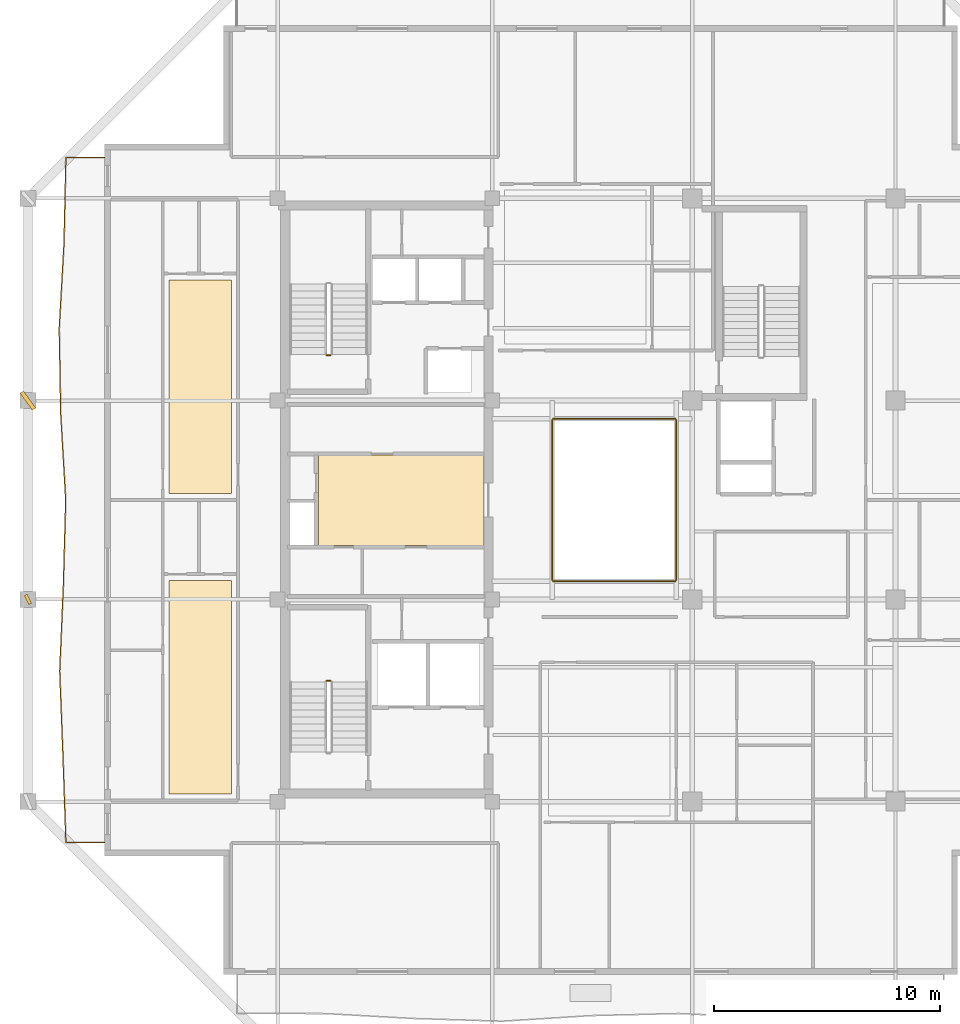
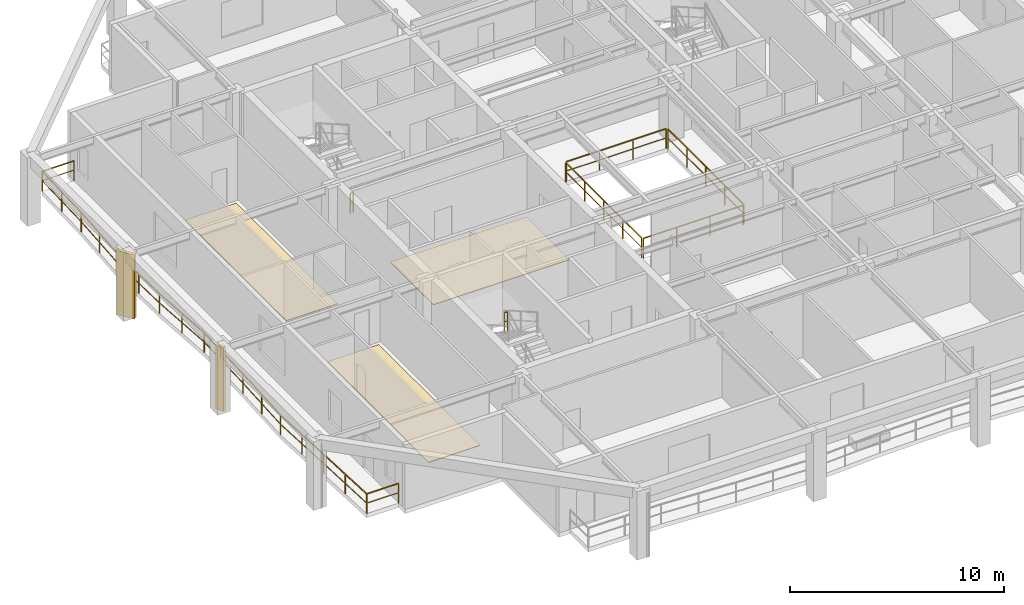
# One storey, part 8 of 11: 7 railings, 3 coverings, 2 shading devices.
"""IFC4 building model written with IfcOpenShell, lengths in metres."""

import ifcopenshell
import ifcopenshell.guid

model = None  # the IFC model being written
_history = None  # IfcOwnerHistory: only IFC2X3 demands one
_inside = {}  # id of a spatial element -> (the spatial element, [elements in it])
_under = {}  # id of a project, library or spatial element -> (it, [spatial elements below it])
_declared = {}  # id of a project -> (the project, [libraries it declares])
_typed = {}  # id of a type object -> (the type object, [elements of that type])
_made_of = {}  # id of a material, layer set ... -> (it, [elements and type objects made of it])


def new_model(schema):
    """Start an empty IFC model of exactly this schema.

    Asked for "IFC4X3", IfcOpenShell would pick the latest addendum, in which some entities
    have other attributes; the version numbers below select the first issue.
    IFC2X3 requires an IfcOwnerHistory on every rooted entity: one is made here for all.
    """
    global model, _history
    if schema == "IFC4X3":
        model = ifcopenshell.file(schema_version=(4, 3, 0, 0))
    else:
        model = ifcopenshell.file(schema=schema)
    _inside.clear()
    _under.clear()
    _declared.clear()
    _typed.clear()
    _made_of.clear()
    _history = None
    if model.schema == "IFC2X3":
        org = make("IfcOrganization", Name="unknown")
        user = make(
            "IfcPersonAndOrganization",
            ThePerson=make("IfcPerson", FamilyName="unknown"),
            TheOrganization=org,
        )
        app = make(
            "IfcApplication",
            ApplicationDeveloper=org,
            Version="unknown",
            ApplicationFullName="unknown",
            ApplicationIdentifier="unknown",
        )
        _history = make(
            "IfcOwnerHistory",
            OwningUser=user,
            OwningApplication=app,
            ChangeAction="ADDED",
            CreationDate=0,
        )
    return model


def make(cls, **values):
    """One entity of the class cls with the attributes given. An attribute that is None is left unset."""
    return model.create_entity(
        cls, **{name: value for name, value in values.items() if value is not None}
    )


def rooted(cls, **values):
    """An entity with a GlobalId (a new one), such as an element, a storey or a relation."""
    return make(cls, GlobalId=ifcopenshell.guid.new(), OwnerHistory=_history, **values)


def si_unit(unit_type, name, prefix=None):
    """IfcSIUnit, for example si_unit("LENGTHUNIT", "METRE", prefix="MILLI")."""
    return make("IfcSIUnit", UnitType=unit_type, Prefix=prefix, Name=name)


def assignment(units):
    """IfcUnitAssignment: the units of a project."""
    return None if units is None else make("IfcUnitAssignment", Units=units)


def point(xyz):
    """IfcCartesianPoint."""
    return None if xyz is None else make("IfcCartesianPoint", Coordinates=xyz)


def direction(xyz):
    """IfcDirection."""
    return None if xyz is None else make("IfcDirection", DirectionRatios=xyz)


def frame(location, z_axis=None, x_axis=None):
    """IfcAxis2Placement3D, a coordinate frame: its origin and axes. An axis left out is left unset."""
    return make(
        "IfcAxis2Placement3D",
        Location=point(location),
        Axis=direction(z_axis),
        RefDirection=direction(x_axis),
    )


def frame_2d(location, x_axis=None):
    """IfcAxis2Placement2D, a coordinate frame in the plane: its origin and x axis."""
    return make(
        "IfcAxis2Placement2D", Location=point(location), RefDirection=direction(x_axis)
    )


def origin():
    """The frame at (0, 0, 0) with its axes left unset."""
    return frame((0.0, 0.0, 0.0))


def origin_2d():
    """The frame at (0, 0) in the plane with its x axis left unset."""
    return frame_2d((0.0, 0.0))


def place(relative_to, where):
    """IfcLocalPlacement: puts the frame where relative to a parent placement (None: the world)."""
    return make(
        "IfcLocalPlacement", PlacementRelTo=relative_to, RelativePlacement=where
    )


def context(
    kind, dimensions, precision=None, world=None, true_north=None, identifier=None
):
    """IfcGeometricRepresentationContext, for example the 3D "Model" context."""
    return make(
        "IfcGeometricRepresentationContext",
        ContextIdentifier=identifier,
        ContextType=kind,
        CoordinateSpaceDimension=dimensions,
        Precision=precision,
        WorldCoordinateSystem=world,
        TrueNorth=true_north,
    )


def subcontext(parent, identifier, kind, view, scale=None):
    """IfcGeometricRepresentationSubContext, for example "Body" below "Model"."""
    return make(
        "IfcGeometricRepresentationSubContext",
        ContextIdentifier=identifier,
        ContextType=kind,
        ParentContext=parent,
        TargetScale=scale,
        TargetView=view,
    )


def project(units=None, contexts=None):
    """IfcProject with its units and contexts."""
    return rooted(
        "IfcProject",
        Name="project",
        RepresentationContexts=contexts,
        UnitsInContext=assignment(units),
    )


def spatial(cls, under=None, at=None, **own):
    """A site, building, storey or space (cls), placed at a placement, below another one or the project."""
    s = rooted(cls, ObjectPlacement=at, **own)
    if under is not None:
        _under.setdefault(under.id(), (under, []))[1].append(s)
    return s


def polyline(points):
    """IfcPolyline through the points."""
    return make("IfcPolyline", Points=[point(p) for p in points])


def profile(cls, at=None, kind="AREA", **sizes):
    """A parametric profile (cls). Its sizes go by their IFC names, for example OverallWidth=200.0."""
    return make(cls, ProfileType=kind, Position=at, **sizes)


def rectangle(**sizes):
    """IfcRectangleProfileDef."""
    return profile("IfcRectangleProfileDef", **sizes)


def outline(outer, holes=None, kind="AREA"):
    """IfcArbitraryClosedProfileDef: a profile drawn as a closed curve; with holes, ...WithVoids."""
    if holes is None:
        return make("IfcArbitraryClosedProfileDef", ProfileType=kind, OuterCurve=outer)
    return make(
        "IfcArbitraryProfileDefWithVoids",
        ProfileType=kind,
        OuterCurve=outer,
        InnerCurves=holes,
    )


def extrude(swept, where, along, depth):
    """IfcExtrudedAreaSolid: the profile swept, set in the frame where, extruded along a direction by depth."""
    return make(
        "IfcExtrudedAreaSolid",
        SweptArea=swept,
        Position=where,
        ExtrudedDirection=direction(along),
        Depth=depth,
    )


def shape(context_of_items, identifier, shape_type, items):
    """IfcShapeRepresentation: the items that make up one representation, for example the "Body"."""
    return make(
        "IfcShapeRepresentation",
        ContextOfItems=context_of_items,
        RepresentationIdentifier=identifier,
        RepresentationType=shape_type,
        Items=items,
    )


def material(Name=None, Category=None):
    """IfcMaterial."""
    return make("IfcMaterial", Name=Name, Category=Category)


def layer(
    of_material, thickness, ventilated=None, Name=None, Category=None, Priority=None
):
    """IfcMaterialLayer: one layer of a wall or slab, of a material (None: an air gap)."""
    return make(
        "IfcMaterialLayer",
        Material=of_material,
        LayerThickness=thickness,
        IsVentilated=ventilated,
        Name=Name,
        Category=Category,
        Priority=Priority,
    )


def layer_set(layers, Name=None):
    """IfcMaterialLayerSet."""
    return make("IfcMaterialLayerSet", MaterialLayers=layers, LayerSetName=Name)


def made_of(thing, what):
    """Note that an element or type object is made of a material, layer set ...; save() writes the relation."""
    if what is not None:
        _made_of.setdefault(what.id(), (what, []))[1].append(thing)
    return thing


def type_object(cls, material=None, **own):
    """A type object (cls), such as IfcWallType, which elements share."""
    return made_of(rooted(cls, **own), material)


def element(
    cls,
    number,
    at=None,
    inside=None,
    cuts=None,
    type_object=None,
    material=None,
    context=None,
    identifier="Body",
    shape_type=None,
    held_by="IfcProductDefinitionShape",
    body=None,
    shapes=None,
    **own,
):
    """One element of the class cls, such as IfcWall. Its Tag is "e" and its number.

    at: its placement. inside: the storey or other place that contains it. cuts: it is an
    opening in that element (IfcRelVoidsElement). A single representation is given by context,
    identifier, shape_type and body (its items); several are given by shapes. held_by: the class
    of the entity that holds the representations. save() writes the other relations.
    """
    e = rooted(cls, Tag="e%d" % number, ObjectPlacement=at, **own)
    if body is not None:
        shapes = [shape(context, identifier, shape_type, body)]
    if shapes is not None:
        e.Representation = make(held_by, Representations=shapes)
    if inside is not None:
        _inside.setdefault(inside.id(), (inside, []))[1].append(e)
    if cuts is not None:
        rooted(
            "IfcRelVoidsElement", RelatingBuildingElement=cuts, RelatedOpeningElement=e
        )
    if type_object is not None:
        _typed.setdefault(type_object.id(), (type_object, []))[1].append(e)
    return made_of(e, material)


def aggregate(whole, parts):
    """IfcRelAggregates: a whole, such as a stair, and the parts it consists of."""
    return rooted("IfcRelAggregates", RelatingObject=whole, RelatedObjects=parts)


def save(model, path):
    """Write the relations noted so far, then the file.

    IfcRelAggregates (storeys below a building ...), IfcRelContainedInSpatialStructure (elements
    in a storey), IfcRelDefinesByType, IfcRelAssociatesMaterial and IfcRelDeclares: one each for
    every whole, place, type object, material and project.
    """
    for whole, parts in _under.values():
        aggregate(whole, parts)
    for where, things in _inside.values():
        rooted(
            "IfcRelContainedInSpatialStructure",
            RelatedElements=things,
            RelatingStructure=where,
        )
    for kind, things in _typed.values():
        rooted("IfcRelDefinesByType", RelatedObjects=things, RelatingType=kind)
    for what, things in _made_of.values():
        rooted("IfcRelAssociatesMaterial", RelatedObjects=things, RelatingMaterial=what)
    for by, libraries in _declared.values():
        rooted("IfcRelDeclares", RelatingContext=by, RelatedDefinitions=libraries)
    model.write(path)


model = new_model("IFC4")

# Units and contexts
model_context = context("Model", 3, precision=1e-05, world=origin(), true_north=direction((0.0, 1.0)))
body_context = subcontext(model_context, "Body", "Model", "MODEL_VIEW")
ifc_project = project(units=[si_unit("LENGTHUNIT", "METRE"), si_unit("AREAUNIT", "SQUARE_METRE"), si_unit("VOLUMEUNIT", "CUBIC_METRE"), si_unit("PLANEANGLEUNIT", "RADIAN"), si_unit("MASSUNIT", "GRAM", prefix="KILO")], contexts=[model_context])

# Site, building, storey
site_placement = place(None, origin())
site = spatial("IfcSite", under=ifc_project, at=site_placement, CompositionType="ELEMENT")
building_placement = place(site_placement, origin())
building = spatial("IfcBuilding", under=site, at=building_placement, Name="Kundavana Baori Tower", CompositionType="ELEMENT")
storey_placement = place(building_placement, frame((0.0, 0.0, 218.0)))
storey = spatial("IfcBuildingStorey", under=building, at=storey_placement, Name="L53", CompositionType="ELEMENT", Elevation=218.0)

# Coverings
ifc_material_1 = material(Name="Honed Kota Stone and Terrazzo Flooring", Category="masonry")
ifc_layer = layer(ifc_material_1, 0.0400390625, Name="COV-FLR-TERR-40")
ifc_layer_set = layer_set([ifc_layer], Name="Honed Kota Stone and Terrazzo Flooring")
covering_type = type_object("IfcCoveringType", Name="COV-FLR-TERR-40", PredefinedType="FLOORING", material=ifc_layer_set)
covering_1_placement = place(storey_placement, origin())
element("IfcCovering", 1, at=covering_1_placement, inside=storey, type_object=covering_type, Name="L53 Room Finished Stone Flooring 1", PredefinedType="FLOORING", context=body_context, shape_type="SweptSolid", body=[
    extrude(outline(polyline([(10.64990234375, 15.580078125), (13.419921875, 15.580078125), (13.419921875, 25.0400390625), (10.64990234375, 25.0400390625), (10.64990234375, 15.580078125)])), origin(), (0.0, 0.0, 1.0), 0.0400390625),
])
covering_2_placement = place(storey_placement, origin())
element("IfcCovering", 2, at=covering_2_placement, inside=storey, type_object=covering_type, Name="L53 Room Finished Stone Flooring 2", PredefinedType="FLOORING", context=body_context, shape_type="SweptSolid", body=[
    extrude(outline(polyline([(10.64990234375, 28.8798828125), (13.419921875, 28.8798828125), (13.419921875, 38.340087890625), (10.64990234375, 38.340087890625), (10.64990234375, 28.8798828125)])), origin(), (0.0, 0.0, 1.0), 0.0400390625),
])
covering_3_placement = place(storey_placement, origin())
element("IfcCovering", 3, at=covering_3_placement, inside=storey, type_object=covering_type, Name="L53 Core Lift Lobby Kota Stone Flooring", PredefinedType="FLOORING", context=body_context, shape_type="SweptSolid", body=[
    extrude(outline(polyline([(17.25, 26.580078125), (24.580078125, 26.580078125), (24.580078125, 30.60009765625), (17.25, 30.60009765625), (17.25, 26.580078125)])), origin(), (0.0, 0.0, 1.0), 0.0400390625),
])

# Railings
ifc_material_2 = material(Name="Architectural Patinated Bronze Metalwork")
railing_type_1 = type_object("IfcRailingType", Name="RL-BAL-1150", PredefinedType="BALUSTRADE", material=ifc_material_2)
railing_1_placement = place(storey_placement, frame((7.800048828125, 13.449951171875, 0.0)))
element("IfcRailing", 4, at=railing_1_placement, inside=storey, type_object=railing_type_1, Name="L53 Loggia Balcony Balustrade W", PredefinedType="BALUSTRADE", context=body_context, shape_type="SweptSolid", body=[
    extrude(rectangle(XDim=0.048095703125, YDim=0.048095703125, at=origin_2d()), frame((0.0, 0.0, 1.1259765625), z_axis=(-1.0, 0.0, 0.0), x_axis=(0.0, -1.0, 0.0)), (0.0, 0.0, 1.0), 1.719970703125),
    extrude(rectangle(XDim=0.03125, YDim=0.03125, at=origin_2d()), frame((0.0, 0.0, 0.597900390625), z_axis=(-1.0, 0.0, 0.0), x_axis=(0.0, -1.0, 0.0)), (0.0, 0.0, 1.0), 1.719970703125),
    extrude(rectangle(XDim=0.048095703125, YDim=0.048095703125, at=origin_2d()), frame((-1.719970703125, 0.0, 1.1259765625), z_axis=(-0.034331386874, 0.999410504185, 0.0), x_axis=(-0.999410504185, -0.034331386874, 0.0)), (0.0, 0.0, 1.0), 3.790283203125),
    extrude(rectangle(XDim=0.03125, YDim=0.03125, at=origin_2d()), frame((-1.719970703125, 0.0, 0.597900390625), z_axis=(-0.034331386874, 0.999410504185, 0.0), x_axis=(-0.999410504185, -0.034331386874, 0.0)), (0.0, 0.0, 1.0), 3.790283203125),
    extrude(rectangle(XDim=0.048095703125, YDim=0.048095703125, at=origin_2d()), frame((-1.85009765625, 3.7880859375, 1.1259765625), z_axis=(-0.03826735328, 0.999267536585, 0.0), x_axis=(-0.999267536585, -0.03826735328, 0.0)), (0.0, 0.0, 1.0), 3.78955078125),
    extrude(rectangle(XDim=0.03125, YDim=0.03125, at=origin_2d()), frame((-1.85009765625, 3.7880859375, 0.597900390625), z_axis=(-0.03826735328, 0.999267536585, 0.0), x_axis=(-0.999267536585, -0.03826735328, 0.0)), (0.0, 0.0, 1.0), 3.78955078125),
    extrude(rectangle(XDim=0.048095703125, YDim=0.048095703125, at=origin_2d()), frame((-1.9951171875, 7.574951171875, 1.1259765625), z_axis=(0.042509245005, 0.999096073503, 0.0), x_axis=(-0.999096073503, 0.042509245005, 0.0)), (0.0, 0.0, 1.0), 3.79052734375),
    extrude(rectangle(XDim=0.03125, YDim=0.03125, at=origin_2d()), frame((-1.9951171875, 7.574951171875, 0.597900390625), z_axis=(0.042509245005, 0.999096073503, 0.0), x_axis=(-0.999096073503, 0.042509245005, 0.0)), (0.0, 0.0, 1.0), 3.79052734375),
    extrude(rectangle(XDim=0.048095703125, YDim=0.048095703125, at=origin_2d()), frame((-1.833984375, 11.362060546875, 1.1259765625), z_axis=(0.027445187549, 0.999623309892, 0.0), x_axis=(-0.999623309892, 0.027445187549, 0.0)), (0.0, 0.0, 1.0), 3.78955078125),
    extrude(rectangle(XDim=0.03125, YDim=0.03125, at=origin_2d()), frame((-1.833984375, 11.362060546875, 0.597900390625), z_axis=(0.027445187549, 0.999623309892, 0.0), x_axis=(-0.999623309892, 0.027445187549, 0.0)), (0.0, 0.0, 1.0), 3.78955078125),
    extrude(rectangle(XDim=0.048095703125, YDim=0.048095703125, at=origin_2d()), frame((-1.72998046875, 15.150146484375, 1.1259765625), z_axis=(-0.057975155756, 0.99831802614, 0.0), x_axis=(-0.99831802614, -0.057975155756, 0.0)), (0.0, 0.0, 1.0), 3.794189453125),
    extrude(rectangle(XDim=0.03125, YDim=0.03125, at=origin_2d()), frame((-1.72998046875, 15.150146484375, 0.597900390625), z_axis=(-0.057975155756, 0.99831802614, 0.0), x_axis=(-0.99831802614, -0.057975155756, 0.0)), (0.0, 0.0, 1.0), 3.794189453125),
    extrude(rectangle(XDim=0.048095703125, YDim=0.048095703125, at=origin_2d()), frame((-1.949951171875, 18.93798828125, 1.1259765625), z_axis=(-0.01772542518, 0.99984289231, 0.0), x_axis=(-0.99984289231, -0.01772542518, 0.0)), (0.0, 0.0, 1.0), 3.78759765625),
    extrude(rectangle(XDim=0.03125, YDim=0.03125, at=origin_2d()), frame((-1.949951171875, 18.93798828125, 0.597900390625), z_axis=(-0.01772542518, 0.99984289231, 0.0), x_axis=(-0.99984289231, -0.01772542518, 0.0)), (0.0, 0.0, 1.0), 3.78759765625),
    extrude(rectangle(XDim=0.048095703125, YDim=0.048095703125, at=origin_2d()), frame((-2.01708984375, 22.72509765625, 1.1259765625), z_axis=(0.055937038559, 0.998434298147, 0.0), x_axis=(-0.998434298147, 0.055937038559, 0.0)), (0.0, 0.0, 1.0), 3.792724609375),
    extrude(rectangle(XDim=0.03125, YDim=0.03125, at=origin_2d()), frame((-2.01708984375, 22.72509765625, 0.597900390625), z_axis=(0.055937038559, 0.998434298147, 0.0), x_axis=(-0.998434298147, 0.055937038559, 0.0)), (0.0, 0.0, 1.0), 3.792724609375),
    extrude(rectangle(XDim=0.048095703125, YDim=0.048095703125, at=origin_2d()), frame((-1.804931640625, 26.511962890625, 1.1259765625), z_axis=(0.022422821911, 0.999748576922, 0.0), x_axis=(-0.999748576922, 0.022422821911, 0.0)), (0.0, 0.0, 1.0), 3.7890625),
    extrude(rectangle(XDim=0.03125, YDim=0.03125, at=origin_2d()), frame((-1.804931640625, 26.511962890625, 0.597900390625), z_axis=(0.022422821911, 0.999748576922, 0.0), x_axis=(-0.999748576922, 0.022422821911, 0.0)), (0.0, 0.0, 1.0), 3.7890625),
    extrude(rectangle(XDim=0.048095703125, YDim=0.048095703125, at=origin_2d()), frame((-1.719970703125, 30.300048828125, 1.1259765625), z_axis=(1.0, 0.0, 0.0), x_axis=(0.0, 1.0, 0.0)), (0.0, 0.0, 1.0), 1.719970703125),
    extrude(rectangle(XDim=0.03125, YDim=0.03125, at=origin_2d()), frame((-1.719970703125, 30.300048828125, 0.597900390625), z_axis=(1.0, 0.0, 0.0), x_axis=(0.0, 1.0, 0.0)), (0.0, 0.0, 1.0), 1.719970703125),
    extrude(rectangle(XDim=0.0419921875, YDim=0.0419921875, at=origin_2d()), origin(), (0.0, 0.0, 1.0), 1.101806640625),
    extrude(rectangle(XDim=0.0419921875, YDim=0.0419921875, at=origin_2d()), frame((-1.719970703125, 0.0, 0.0)), (0.0, 0.0, 1.0), 1.101806640625),
    extrude(rectangle(XDim=0.0419921875, YDim=0.0419921875, at=origin_2d()), frame((-1.78515625, 1.89404296875, 0.0)), (0.0, 0.0, 1.0), 1.101806640625),
    extrude(rectangle(XDim=0.0419921875, YDim=0.0419921875, at=origin_2d()), frame((-1.85009765625, 3.7880859375, 0.0)), (0.0, 0.0, 1.0), 1.101806640625),
    extrude(rectangle(XDim=0.0419921875, YDim=0.0419921875, at=origin_2d()), frame((-1.922607421875, 5.681640625, 0.0)), (0.0, 0.0, 1.0), 1.101806640625),
    extrude(rectangle(XDim=0.0419921875, YDim=0.0419921875, at=origin_2d()), frame((-1.9951171875, 7.574951171875, 0.0)), (0.0, 0.0, 1.0), 1.101806640625),
    extrude(rectangle(XDim=0.0419921875, YDim=0.0419921875, at=origin_2d()), frame((-1.91455078125, 9.468505859375, 0.0)), (0.0, 0.0, 1.0), 1.101806640625),
    extrude(rectangle(XDim=0.0419921875, YDim=0.0419921875, at=origin_2d()), frame((-1.833984375, 11.362060546875, 0.0)), (0.0, 0.0, 1.0), 1.101806640625),
    extrude(rectangle(XDim=0.0419921875, YDim=0.0419921875, at=origin_2d()), frame((-1.781982421875, 13.256103515625, 0.0)), (0.0, 0.0, 1.0), 1.101806640625),
    extrude(rectangle(XDim=0.0419921875, YDim=0.0419921875, at=origin_2d()), frame((-1.72998046875, 15.150146484375, 0.0)), (0.0, 0.0, 1.0), 1.101806640625),
    extrude(rectangle(XDim=0.0419921875, YDim=0.0419921875, at=origin_2d()), frame((-1.83984375, 17.0439453125, 0.0)), (0.0, 0.0, 1.0), 1.101806640625),
    extrude(rectangle(XDim=0.0419921875, YDim=0.0419921875, at=origin_2d()), frame((-1.949951171875, 18.93798828125, 0.0)), (0.0, 0.0, 1.0), 1.101806640625),
    extrude(rectangle(XDim=0.0419921875, YDim=0.0419921875, at=origin_2d()), frame((-1.9833984375, 20.83154296875, 0.0)), (0.0, 0.0, 1.0), 1.101806640625),
    extrude(rectangle(XDim=0.0419921875, YDim=0.0419921875, at=origin_2d()), frame((-2.01708984375, 22.72509765625, 0.0)), (0.0, 0.0, 1.0), 1.101806640625),
    extrude(rectangle(XDim=0.0419921875, YDim=0.0419921875, at=origin_2d()), frame((-1.9111328125, 24.61865234375, 0.0)), (0.0, 0.0, 1.0), 1.101806640625),
    extrude(rectangle(XDim=0.0419921875, YDim=0.0419921875, at=origin_2d()), frame((-1.804931640625, 26.511962890625, 0.0)), (0.0, 0.0, 1.0), 1.101806640625),
    extrude(rectangle(XDim=0.0419921875, YDim=0.0419921875, at=origin_2d()), frame((-1.762451171875, 28.406005859375, 0.0)), (0.0, 0.0, 1.0), 1.101806640625),
    extrude(rectangle(XDim=0.0419921875, YDim=0.0419921875, at=origin_2d()), frame((-1.719970703125, 30.300048828125, 0.0)), (0.0, 0.0, 1.0), 1.101806640625),
    extrude(rectangle(XDim=0.0419921875, YDim=0.0419921875, at=origin_2d()), frame((0.0, 30.300048828125, 0.0)), (0.0, 0.0, 1.0), 1.101806640625),
])
ifc_material_3 = material(Name="Architectural Patinated Bronze Metalwork")
railing_type_2 = type_object("IfcRailingType", Name="RL-GRD-1150", PredefinedType="GUARDRAIL", material=ifc_material_3)
for number, where, name in (
    (5, (17.7900390625, 20.60009765625, 1.949951171875), "L53 ST1 stair guard 2"),
    (6, (17.7900390625, 35.0, 0.0), "L53 ST2 stair guard 4"),
):
    element("IfcRailing", number, at=place(storey_placement, frame(where)), inside=storey, type_object=railing_type_2, Name=name, PredefinedType="GUARDRAIL", context=body_context, shape_type="SweptSolid", body=[
        extrude(rectangle(XDim=0.048095703125, YDim=0.048095703125, at=origin_2d()), frame((0.0, 0.0, 1.1259765625), z_axis=(-1.0, 0.0, 0.0), x_axis=(0.0, -1.0, 0.0)), (0.0, 0.0, 1.0), 0.16015625),
        extrude(rectangle(XDim=0.03125, YDim=0.03125, at=origin_2d()), frame((0.0, 0.0, 0.597900390625), z_axis=(-1.0, 0.0, 0.0), x_axis=(0.0, -1.0, 0.0)), (0.0, 0.0, 1.0), 0.16015625),
        extrude(rectangle(XDim=0.0419921875, YDim=0.0419921875, at=origin_2d()), origin(), (0.0, 0.0, 1.0), 1.101806640625),
        extrude(rectangle(XDim=0.0419921875, YDim=0.0419921875, at=origin_2d()), frame((-0.16015625, 0.0, 0.0)), (0.0, 0.0, 1.0), 1.101806640625),
    ])
railing_2_placement = place(storey_placement, frame((27.659912109375, 25.0, 0.0)))
element("IfcRailing", 7, at=railing_2_placement, inside=storey, type_object=railing_type_2, Name="L53 Atrium Void Perimeter Guardrail S", PredefinedType="GUARDRAIL", context=body_context, shape_type="SweptSolid", body=[
    extrude(rectangle(XDim=0.048095703125, YDim=0.048095703125, at=origin_2d()), frame((0.0, 0.0, 1.1259765625), z_axis=(1.0, 0.0, 0.0), x_axis=(0.0, 1.0, 0.0)), (0.0, 0.0, 1.0), 5.380126953125),
    extrude(rectangle(XDim=0.03125, YDim=0.03125, at=origin_2d()), frame((0.0, 0.0, 0.597900390625), z_axis=(1.0, 0.0, 0.0), x_axis=(0.0, 1.0, 0.0)), (0.0, 0.0, 1.0), 5.380126953125),
    extrude(rectangle(XDim=0.0419921875, YDim=0.0419921875, at=origin_2d()), origin(), (0.0, 0.0, 1.0), 1.101806640625),
    extrude(rectangle(XDim=0.0419921875, YDim=0.0419921875, at=origin_2d()), frame((1.79345703125, 0.0, 0.0)), (0.0, 0.0, 1.0), 1.101806640625),
    extrude(rectangle(XDim=0.0419921875, YDim=0.0419921875, at=origin_2d()), frame((3.586669921875, 0.0, 0.0)), (0.0, 0.0, 1.0), 1.101806640625),
    extrude(rectangle(XDim=0.0419921875, YDim=0.0419921875, at=origin_2d()), frame((5.380126953125, 0.0, 0.0)), (0.0, 0.0, 1.0), 1.101806640625),
])
railing_3_placement = place(storey_placement, frame((33.10009765625, 25.06005859375, 0.0)))
element("IfcRailing", 8, at=railing_3_placement, inside=storey, type_object=railing_type_2, Name="L53 Atrium Void Perimeter Guardrail E", PredefinedType="GUARDRAIL", context=body_context, shape_type="SweptSolid", body=[
    extrude(rectangle(XDim=0.048095703125, YDim=0.048095703125, at=origin_2d()), frame((0.0, 0.0, 1.1259765625), z_axis=(0.0, 1.0, 0.0), x_axis=(-1.0, 0.0, 0.0)), (0.0, 0.0, 1.0), 7.079833984375),
    extrude(rectangle(XDim=0.03125, YDim=0.03125, at=origin_2d()), frame((0.0, 0.0, 0.597900390625), z_axis=(0.0, 1.0, 0.0), x_axis=(-1.0, 0.0, 0.0)), (0.0, 0.0, 1.0), 7.079833984375),
    extrude(rectangle(XDim=0.0419921875, YDim=0.0419921875, at=origin_2d()), origin(), (0.0, 0.0, 1.0), 1.101806640625),
    extrude(rectangle(XDim=0.0419921875, YDim=0.0419921875, at=origin_2d()), frame((0.0, 1.77001953125, 0.0)), (0.0, 0.0, 1.0), 1.101806640625),
    extrude(rectangle(XDim=0.0419921875, YDim=0.0419921875, at=origin_2d()), frame((0.0, 3.5400390625, 0.0)), (0.0, 0.0, 1.0), 1.101806640625),
    extrude(rectangle(XDim=0.0419921875, YDim=0.0419921875, at=origin_2d()), frame((0.0, 5.309814453125, 0.0)), (0.0, 0.0, 1.0), 1.101806640625),
    extrude(rectangle(XDim=0.0419921875, YDim=0.0419921875, at=origin_2d()), frame((0.0, 7.079833984375, 0.0)), (0.0, 0.0, 1.0), 1.101806640625),
])
railing_4_placement = place(storey_placement, frame((33.0400390625, 32.199951171875, 0.0)))
element("IfcRailing", 9, at=railing_4_placement, inside=storey, type_object=railing_type_2, Name="L53 Atrium Void Perimeter Guardrail N", PredefinedType="GUARDRAIL", context=body_context, shape_type="SweptSolid", body=[
    extrude(rectangle(XDim=0.048095703125, YDim=0.048095703125, at=origin_2d()), frame((0.0, 0.0, 1.1259765625), z_axis=(-1.0, 0.0, 0.0), x_axis=(0.0, -1.0, 0.0)), (0.0, 0.0, 1.0), 5.380126953125),
    extrude(rectangle(XDim=0.03125, YDim=0.03125, at=origin_2d()), frame((0.0, 0.0, 0.597900390625), z_axis=(-1.0, 0.0, 0.0), x_axis=(0.0, -1.0, 0.0)), (0.0, 0.0, 1.0), 5.380126953125),
    extrude(rectangle(XDim=0.0419921875, YDim=0.0419921875, at=origin_2d()), origin(), (0.0, 0.0, 1.0), 1.101806640625),
    extrude(rectangle(XDim=0.0419921875, YDim=0.0419921875, at=origin_2d()), frame((-1.79345703125, 0.0, 0.0)), (0.0, 0.0, 1.0), 1.101806640625),
    extrude(rectangle(XDim=0.0419921875, YDim=0.0419921875, at=origin_2d()), frame((-3.586669921875, 0.0, 0.0)), (0.0, 0.0, 1.0), 1.101806640625),
    extrude(rectangle(XDim=0.0419921875, YDim=0.0419921875, at=origin_2d()), frame((-5.380126953125, 0.0, 0.0)), (0.0, 0.0, 1.0), 1.101806640625),
])
railing_5_placement = place(storey_placement, frame((27.60009765625, 32.139892578125, 0.0)))
element("IfcRailing", 10, at=railing_5_placement, inside=storey, type_object=railing_type_2, Name="L53 Atrium Void Perimeter Guardrail W", PredefinedType="GUARDRAIL", context=body_context, shape_type="SweptSolid", body=[
    extrude(rectangle(XDim=0.048095703125, YDim=0.048095703125, at=origin_2d()), frame((0.0, 0.0, 1.1259765625), z_axis=(0.0, -1.0, 0.0), x_axis=(1.0, 0.0, 0.0)), (0.0, 0.0, 1.0), 7.079833984375),
    extrude(rectangle(XDim=0.03125, YDim=0.03125, at=origin_2d()), frame((0.0, 0.0, 0.597900390625), z_axis=(0.0, -1.0, 0.0), x_axis=(1.0, 0.0, 0.0)), (0.0, 0.0, 1.0), 7.079833984375),
    extrude(rectangle(XDim=0.0419921875, YDim=0.0419921875, at=origin_2d()), origin(), (0.0, 0.0, 1.0), 1.101806640625),
    extrude(rectangle(XDim=0.0419921875, YDim=0.0419921875, at=origin_2d()), frame((0.0, -1.77001953125, 0.0)), (0.0, 0.0, 1.0), 1.101806640625),
    extrude(rectangle(XDim=0.0419921875, YDim=0.0419921875, at=origin_2d()), frame((0.0, -3.5400390625, 0.0)), (0.0, 0.0, 1.0), 1.101806640625),
    extrude(rectangle(XDim=0.0419921875, YDim=0.0419921875, at=origin_2d()), frame((0.0, -5.309814453125, 0.0)), (0.0, 0.0, 1.0), 1.101806640625),
    extrude(rectangle(XDim=0.0419921875, YDim=0.0419921875, at=origin_2d()), frame((0.0, -7.079833984375, 0.0)), (0.0, 0.0, 1.0), 1.101806640625),
])

# Shading devices
ifc_material_4 = material(Name="Red-Buff Dholpur Sandstone Cladding on Concrete C40/50", Category="masonry")
shading_device_type_1 = type_object("IfcShadingDeviceType", Name="SHD-FIN-920", PredefinedType="JALOUSIE", material=ifc_material_4)
shading_device_1_placement = place(storey_placement, frame((4.39990234375, 33.0, 0.0), z_axis=(0.0, 0.0, 1.0), x_axis=(0.808503746992, 0.588491028904, 0.0)))
element("IfcShadingDevice", 11, at=shading_device_1_placement, inside=storey, type_object=shading_device_type_1, Name="L53 Sweeping Dholpur Sandstone Facade Fin 7", PredefinedType="JALOUSIE", context=body_context, shape_type="SweptSolid", body=[
    extrude(rectangle(XDim=0.179931640625, YDim=0.919921875, at=origin_2d()), origin(), (0.0, 0.0, 1.0), 3.659912109375),
])
ifc_material_5 = material(Name="Architectural Patinated Bronze Metalwork")
shading_device_type_2 = type_object("IfcShadingDeviceType", Name="SHD-LOUV-450", PredefinedType="SHUTTER", material=ifc_material_5)
shading_device_2_placement = place(storey_placement, frame((4.39990234375, 24.199951171875, 0.0), z_axis=(0.0, 0.0, 1.0), x_axis=(0.894934361602, 0.44619781311, 0.0)))
element("IfcShadingDevice", 12, at=shading_device_2_placement, inside=storey, type_object=shading_device_type_2, Name="L53 Sweeping Dholpur Sandstone Facade Fin 6", PredefinedType="SHUTTER", context=body_context, shape_type="SweptSolid", body=[
    extrude(rectangle(XDim=0.139892578125, YDim=0.449951171875, at=origin_2d()), origin(), (0.0, 0.0, 1.0), 3.659912109375),
])

save(model, "model.ifc")
